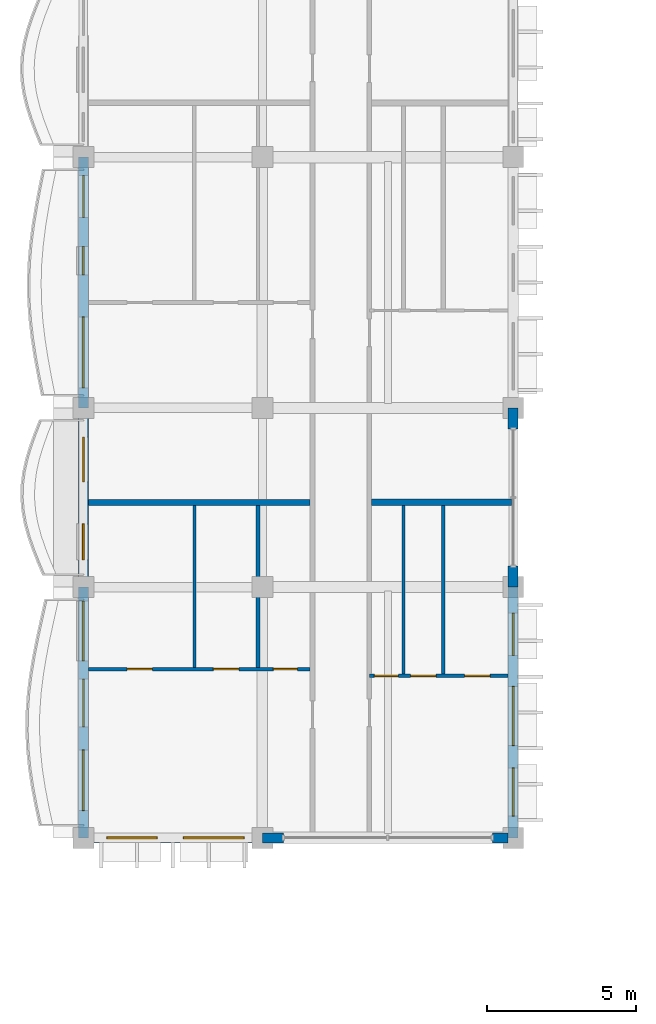
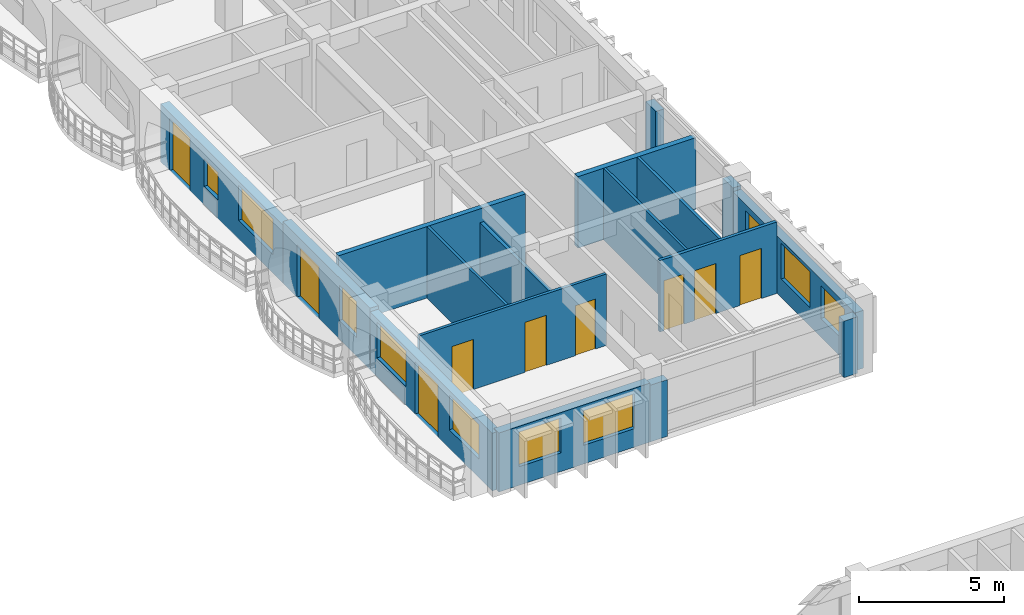
# One storey, part 29 of 76: 17 walls, 10 windows, 9 doors, 19 openings.
"""IFC4 building model written with IfcOpenShell, lengths in metres."""

from ifc_helpers import new_model, si_unit, direction, frame, frame_2d, origin, place, context, subcontext, project, spatial, rectangle, extrude, material, layer, layer_set, type_object, element, fill, save


model = new_model("IFC4")

# Units and contexts
model_context = context("Model", 3, precision=1e-05, world=origin(), true_north=direction((0.0, 1.0)))
body_context = subcontext(model_context, "Body", "Model", "MODEL_VIEW")
ifc_project = project(units=[si_unit("LENGTHUNIT", "METRE"), si_unit("AREAUNIT", "SQUARE_METRE"), si_unit("VOLUMEUNIT", "CUBIC_METRE"), si_unit("PLANEANGLEUNIT", "RADIAN"), si_unit("MASSUNIT", "GRAM", prefix="KILO"), si_unit("THERMODYNAMICTEMPERATUREUNIT", "KELVIN")], contexts=[model_context])

# Site, building, storey
site_placement = place(None, origin())
site = spatial("IfcSite", under=ifc_project, at=site_placement, CompositionType="ELEMENT")
building_placement = place(site_placement, origin())
building = spatial("IfcBuilding", under=site, at=building_placement, Name="Thalorik Housing Commons", CompositionType="ELEMENT")
storey_placement = place(building_placement, frame((0.0, 0.0, 18.0)))
storey = spatial("IfcBuildingStorey", under=building, at=storey_placement, Name="L05", CompositionType="ELEMENT", Elevation=18.0)

# Wall, openings, door, windows
ifc_material_1 = material(Name="White precast concrete C40/50", Category="concrete")
ifc_layer_1 = layer(ifc_material_1, 0.3349609375, Name="White precast concrete C40/50", Category="concrete")
ifc_layer_set_1 = layer_set([ifc_layer_1], Name="White precast concrete C40/50")
wall_type_1 = type_object("IfcWallType", Name="ARC-WAL-EXT-335", PredefinedType="STANDARD", material=ifc_layer_set_1)
wall_1_placement = place(storey_placement, frame((8.39990234375, 94.800048828125, 0.0), z_axis=(0.0, 0.0, 1.0), x_axis=(0.0, -1.0, 0.0)))
wall_1 = element("IfcWall", 1, at=wall_1_placement, inside=storey, type_object=wall_type_1, Name="L05 Exterior Wall WAL-EXT-L05-A-0159", PredefinedType="STANDARD", context=body_context, shape_type="SweptSolid", body=[
    extrude(rectangle(XDim=8.400146484375, YDim=0.3349609375, at=frame_2d((4.2001953125, 0.0))), origin(), (0.0, 0.0, 1.0), 2.425048828125),
])
opening_1_placement = place(wall_1_placement, frame((0.6201171875, 0.0, 0.0)))
opening_1 = element("IfcOpeningElement", 2, at=opening_1_placement, cuts=wall_1, Name="Opening ED-0047", PredefinedType="OPENING", context=body_context, shape_type="SweptSolid", body=[
    extrude(rectangle(XDim=1.39990234375, YDim=2.199951171875, at=frame_2d((0.699951171875, 1.10009765625))), frame((0.0, 0.177490234375, 0.0), z_axis=(0.0, -1.0, 0.0), x_axis=(1.0, 0.0, 0.0)), (0.0, 0.0, 1.0), 0.35498046875),
])
opening_2_placement = place(wall_1_placement, frame((2.9951171875, 0.0, 0.780029296875)))
opening_2 = element("IfcOpeningElement", 3, at=opening_2_placement, cuts=wall_1, Name="Opening W-43", PredefinedType="OPENING", context=body_context, shape_type="SweptSolid", body=[
    extrude(rectangle(XDim=0.949951171875, YDim=1.14990234375, at=frame_2d((0.47509765625, 0.574951171875))), frame((0.0, 0.177490234375, 0.0), z_axis=(0.0, -1.0, 0.0), x_axis=(1.0, 0.0, 0.0)), (0.0, 0.0, 1.0), 0.35498046875),
])
opening_3_placement = place(wall_1_placement, frame((5.35009765625, 0.0, 0.780029296875)))
opening_3 = element("IfcOpeningElement", 4, at=opening_3_placement, cuts=wall_1, Name="Opening W-69", PredefinedType="OPENING", context=body_context, shape_type="SweptSolid", body=[
    extrude(rectangle(XDim=2.3798828125, YDim=1.47998046875, at=frame_2d((1.18994140625, 0.739990234375))), frame((0.0, 0.177490234375, 0.0), z_axis=(0.0, -1.0, 0.0), x_axis=(1.0, 0.0, 0.0)), (0.0, 0.0, 1.0), 0.35498046875),
])
ifc_material_2 = material(Name="Anodised aluminium and laminated safety glass", Category="aluminium")
door_type_1 = type_object("IfcDoorType", Name="ARC-DR-BAL-1400", OperationType="NOTDEFINED", PredefinedType="DOOR", material=ifc_material_2)
door_1_placement = place(opening_1_placement, frame((1.39990234375, 0.0, 0.0), z_axis=(0.0, 0.0, 1.0), x_axis=(-1.0, 0.0, 0.0)))
door_1 = element("IfcDoor", 5, at=door_1_placement, inside=storey, type_object=door_type_1, Name="L05 Block A Balcony Glazed Door", OperationType="SLIDING_TO_LEFT", OverallHeight=2.199951171875, OverallWidth=1.39990234375, PredefinedType="DOOR", context=body_context, shape_type="SweptSolid", body=[
    extrude(rectangle(XDim=1.39990234375, YDim=2.199951171875, at=frame_2d((0.699951171875, 1.10009765625))), frame((0.0, 0.02490234375, 0.0), z_axis=(0.0, -1.0, 0.0), x_axis=(1.0, 0.0, 0.0)), (0.0, 0.0, 1.0), 0.050048828125),
])
fill(opening_1, door_1)
ifc_material_3 = material(Name="Anodised aluminium and solar-control low-E glass", Category="aluminium")
window_type_1 = type_object("IfcWindowType", Name="ARC-WIN-43", PartitioningType="SINGLE_PANEL", PredefinedType="WINDOW", material=ifc_material_3)
window_1_placement = place(opening_2_placement, origin())
window_1 = element("IfcWindow", 6, at=window_1_placement, inside=storey, type_object=window_type_1, Name="L05 Facade Window 283", OverallHeight=1.14990234375, OverallWidth=0.949951171875, PartitioningType="SINGLE_PANEL", PredefinedType="WINDOW", context=body_context, shape_type="SweptSolid", body=[
    extrude(rectangle(XDim=0.949951171875, YDim=1.14990234375, at=frame_2d((0.47509765625, 0.574951171875))), frame((0.0, 0.030029296875, 0.0), z_axis=(0.0, -1.0, 0.0), x_axis=(1.0, 0.0, 0.0)), (0.0, 0.0, 1.0), 0.06005859375),
])
fill(opening_2, window_1)
window_type_2 = type_object("IfcWindowType", Name="ARC-WIN-69", PartitioningType="DOUBLE_PANEL_VERTICAL", PredefinedType="WINDOW", material=ifc_material_3)
window_2_placement = place(opening_3_placement, origin())
window_2 = element("IfcWindow", 7, at=window_2_placement, inside=storey, type_object=window_type_2, Name="L05 Facade Window 284", OverallHeight=1.47998046875, OverallWidth=2.3798828125, PartitioningType="DOUBLE_PANEL_VERTICAL", PredefinedType="WINDOW", context=body_context, shape_type="SweptSolid", body=[
    extrude(rectangle(XDim=2.3798828125, YDim=1.47998046875, at=frame_2d((1.18994140625, 0.739990234375))), frame((0.0, 0.030029296875, 0.0), z_axis=(0.0, -1.0, 0.0), x_axis=(1.0, 0.0, 0.0)), (0.0, 0.0, 1.0), 0.06005859375),
])
fill(opening_3, window_2)

# Wall, openings, door, window
wall_2_placement = place(storey_placement, frame((8.39990234375, 86.39990234375, 0.0), z_axis=(0.0, 0.0, 1.0), x_axis=(0.0, -1.0, 0.0)))
wall_2 = element("IfcWall", 8, at=wall_2_placement, inside=storey, type_object=wall_type_1, Name="L05 Exterior Wall WAL-EXT-L05-A-0160", PredefinedType="STANDARD", context=body_context, shape_type="SweptSolid", body=[
    extrude(rectangle(XDim=6.0, YDim=0.3349609375, at=frame_2d((3.0, 0.0))), origin(), (0.0, 0.0, 1.0), 2.574951171875),
])
opening_4_placement = place(wall_2_placement, frame((0.97509765625, 0.0, 0.0)))
opening_4 = element("IfcOpeningElement", 9, at=opening_4_placement, cuts=wall_2, Name="Opening ED-0048", PredefinedType="OPENING", context=body_context, shape_type="SweptSolid", body=[
    extrude(rectangle(XDim=1.5, YDim=2.199951171875, at=frame_2d((0.75, 1.10009765625))), frame((0.0, 0.177490234375, 0.0), z_axis=(0.0, -1.0, 0.0), x_axis=(1.0, 0.0, 0.0)), (0.0, 0.0, 1.0), 0.35498046875),
])
opening_5_placement = place(wall_2_placement, frame((3.885009765625, 0.0, 0.780029296875)))
opening_5 = element("IfcOpeningElement", 10, at=opening_5_placement, cuts=wall_2, Name="Opening W-05", PredefinedType="OPENING", context=body_context, shape_type="SweptSolid", body=[
    extrude(rectangle(XDim=1.199951171875, YDim=1.5, at=frame_2d((0.60009765625, 0.75))), frame((0.0, 0.177490234375, 0.0), z_axis=(0.0, -1.0, 0.0), x_axis=(1.0, 0.0, 0.0)), (0.0, 0.0, 1.0), 0.35498046875),
])
door_type_2 = type_object("IfcDoorType", Name="ARC-DR-BAL-1500", OperationType="NOTDEFINED", PredefinedType="DOOR", material=ifc_material_2)
door_2_placement = place(opening_4_placement, frame((1.5, 0.0, 0.0), z_axis=(0.0, 0.0, 1.0), x_axis=(-1.0, 0.0, 0.0)))
door_2 = element("IfcDoor", 11, at=door_2_placement, inside=storey, type_object=door_type_2, Name="L05 Block A Balcony Glazed Door", OperationType="SLIDING_TO_RIGHT", OverallHeight=2.199951171875, OverallWidth=1.5, PredefinedType="DOOR", context=body_context, shape_type="SweptSolid", body=[
    extrude(rectangle(XDim=1.5, YDim=2.199951171875, at=frame_2d((0.75, 1.10009765625))), frame((0.0, 0.02490234375, 0.0), z_axis=(0.0, -1.0, 0.0), x_axis=(1.0, 0.0, 0.0)), (0.0, 0.0, 1.0), 0.050048828125),
])
fill(opening_4, door_2)
window_type_3 = type_object("IfcWindowType", Name="ARC-WIN-05", PartitioningType="SINGLE_PANEL", PredefinedType="WINDOW", material=ifc_material_3)
window_3_placement = place(opening_5_placement, origin())
window_3 = element("IfcWindow", 12, at=window_3_placement, inside=storey, type_object=window_type_3, Name="L05 Facade Window 285", OverallHeight=1.5, OverallWidth=1.199951171875, PartitioningType="SINGLE_PANEL", PredefinedType="WINDOW", context=body_context, shape_type="SweptSolid", body=[
    extrude(rectangle(XDim=1.199951171875, YDim=1.5, at=frame_2d((0.60009765625, 0.75))), frame((0.0, 0.030029296875, 0.0), z_axis=(0.0, -1.0, 0.0), x_axis=(1.0, 0.0, 0.0)), (0.0, 0.0, 1.0), 0.06005859375),
])
fill(opening_5, window_3)

# Wall, openings, door, windows
wall_3_placement = place(storey_placement, frame((8.39990234375, 80.39990234375, 0.0), z_axis=(0.0, 0.0, 1.0), x_axis=(0.0, -1.0, 0.0)))
wall_3 = element("IfcWall", 13, at=wall_3_placement, inside=storey, type_object=wall_type_1, Name="L05 Exterior Wall WAL-EXT-L05-A-0161", PredefinedType="STANDARD", context=body_context, shape_type="SweptSolid", body=[
    extrude(rectangle(XDim=8.39990234375, YDim=0.3349609375, at=frame_2d((4.199951171875, 0.0))), origin(), (0.0, 0.0, 1.0), 2.425048828125),
])
opening_6_placement = place(wall_3_placement, frame((3.080078125, 0.0, 0.0)))
opening_6 = element("IfcOpeningElement", 14, at=opening_6_placement, cuts=wall_3, Name="Opening ED-0049", PredefinedType="OPENING", context=body_context, shape_type="SweptSolid", body=[
    extrude(rectangle(XDim=1.60009765625, YDim=2.199951171875, at=frame_2d((0.800048828125, 1.10009765625))), frame((0.0, 0.177490234375, 0.0), z_axis=(0.0, -1.0, 0.0), x_axis=(1.0, 0.0, 0.0)), (0.0, 0.0, 1.0), 0.35498046875),
])
opening_7_placement = place(wall_3_placement, frame((0.469970703125, 0.0, 0.780029296875)))
opening_7 = element("IfcOpeningElement", 15, at=opening_7_placement, cuts=wall_3, Name="Opening W-23", PredefinedType="OPENING", context=body_context, shape_type="SweptSolid", body=[
    extrude(rectangle(XDim=2.0, YDim=1.5, at=frame_2d((1.0, 0.75))), frame((0.0, 0.177490234375, 0.0), z_axis=(0.0, -1.0, 0.0), x_axis=(1.0, 0.0, 0.0)), (0.0, 0.0, 1.0), 0.35498046875),
])
opening_8_placement = place(wall_3_placement, frame((5.449951171875, 0.0, 0.780029296875)))
opening_8 = element("IfcOpeningElement", 16, at=opening_8_placement, cuts=wall_3, Name="Opening W-62", PredefinedType="OPENING", context=body_context, shape_type="SweptSolid", body=[
    extrude(rectangle(XDim=2.0400390625, YDim=1.4599609375, at=frame_2d((1.02001953125, 0.72998046875))), frame((0.0, 0.177490234375, 0.0), z_axis=(0.0, -1.0, 0.0), x_axis=(1.0, 0.0, 0.0)), (0.0, 0.0, 1.0), 0.35498046875),
])
door_type_3 = type_object("IfcDoorType", Name="ARC-DR-BAL-1600", OperationType="NOTDEFINED", PredefinedType="DOOR", material=ifc_material_2)
door_3_placement = place(opening_6_placement, frame((1.60009765625, 0.0, 0.0), z_axis=(0.0, 0.0, 1.0), x_axis=(-1.0, 0.0, 0.0)))
door_3 = element("IfcDoor", 17, at=door_3_placement, inside=storey, type_object=door_type_3, Name="L05 Block A Balcony Glazed Door", OperationType="SLIDING_TO_LEFT", OverallHeight=2.199951171875, OverallWidth=1.60009765625, PredefinedType="DOOR", context=body_context, shape_type="SweptSolid", body=[
    extrude(rectangle(XDim=1.60009765625, YDim=2.199951171875, at=frame_2d((0.800048828125, 1.10009765625))), frame((0.0, 0.02490234375, 0.0), z_axis=(0.0, -1.0, 0.0), x_axis=(1.0, 0.0, 0.0)), (0.0, 0.0, 1.0), 0.050048828125),
])
fill(opening_6, door_3)
window_type_4 = type_object("IfcWindowType", Name="ARC-WIN-23", PartitioningType="DOUBLE_PANEL_VERTICAL", PredefinedType="WINDOW", material=ifc_material_3)
window_4_placement = place(opening_7_placement, origin())
window_4 = element("IfcWindow", 18, at=window_4_placement, inside=storey, type_object=window_type_4, Name="L05 Facade Window 286", OverallHeight=1.5, OverallWidth=2.0, PartitioningType="DOUBLE_PANEL_VERTICAL", PredefinedType="WINDOW", context=body_context, shape_type="SweptSolid", body=[
    extrude(rectangle(XDim=2.0, YDim=1.5, at=frame_2d((1.0, 0.75))), frame((0.0, 0.030029296875, 0.0), z_axis=(0.0, -1.0, 0.0), x_axis=(1.0, 0.0, 0.0)), (0.0, 0.0, 1.0), 0.06005859375),
])
fill(opening_7, window_4)
window_type_5 = type_object("IfcWindowType", Name="ARC-WIN-62", PartitioningType="DOUBLE_PANEL_VERTICAL", PredefinedType="WINDOW", material=ifc_material_3)
window_5_placement = place(opening_8_placement, origin())
window_5 = element("IfcWindow", 19, at=window_5_placement, inside=storey, type_object=window_type_5, Name="L05 Facade Window 287", OverallHeight=1.4599609375, OverallWidth=2.0400390625, PartitioningType="DOUBLE_PANEL_VERTICAL", PredefinedType="WINDOW", context=body_context, shape_type="SweptSolid", body=[
    extrude(rectangle(XDim=2.0400390625, YDim=1.4599609375, at=frame_2d((1.02001953125, 0.72998046875))), frame((0.0, 0.030029296875, 0.0), z_axis=(0.0, -1.0, 0.0), x_axis=(1.0, 0.0, 0.0)), (0.0, 0.0, 1.0), 0.06005859375),
])
fill(opening_8, window_5)

# Wall, openings, windows
wall_4_placement = place(storey_placement, frame((8.39990234375, 72.0, 0.0), z_axis=(0.0, 0.0, 1.0), x_axis=(1.0, 0.0, 0.0)))
wall_4 = element("IfcWall", 20, at=wall_4_placement, inside=storey, type_object=wall_type_1, Name="L05 Exterior Wall WAL-EXT-L05-A-0162", PredefinedType="STANDARD", context=body_context, shape_type="SweptSolid", body=[
    extrude(rectangle(XDim=6.0, YDim=0.3349609375, at=frame_2d((3.0, 0.0))), origin(), (0.0, 0.0, 1.0), 2.47509765625),
])
opening_9_placement = place(wall_4_placement, frame((0.7900390625, 0.0, 0.780029296875)))
opening_9 = element("IfcOpeningElement", 21, at=opening_9_placement, cuts=wall_4, Name="Opening W-55", PredefinedType="OPENING", context=body_context, shape_type="SweptSolid", body=[
    extrude(rectangle(XDim=1.679931640625, YDim=1.4599609375, at=frame_2d((0.83984375, 0.72998046875))), frame((0.0, 0.177490234375, 0.0), z_axis=(0.0, -1.0, 0.0), x_axis=(1.0, 0.0, 0.0)), (0.0, 0.0, 1.0), 0.35498046875),
])
opening_10_placement = place(wall_4_placement, frame((3.35009765625, 0.0, 0.780029296875)))
opening_10 = element("IfcOpeningElement", 22, at=opening_10_placement, cuts=wall_4, Name="Opening W-62", PredefinedType="OPENING", context=body_context, shape_type="SweptSolid", body=[
    extrude(rectangle(XDim=2.0400390625, YDim=1.4599609375, at=frame_2d((1.02001953125, 0.72998046875))), frame((0.0, 0.177490234375, 0.0), z_axis=(0.0, -1.0, 0.0), x_axis=(1.0, 0.0, 0.0)), (0.0, 0.0, 1.0), 0.35498046875),
])
window_type_6 = type_object("IfcWindowType", Name="ARC-WIN-55", PartitioningType="DOUBLE_PANEL_VERTICAL", PredefinedType="WINDOW", material=ifc_material_3)
window_6_placement = place(opening_9_placement, origin())
window_6 = element("IfcWindow", 23, at=window_6_placement, inside=storey, type_object=window_type_6, Name="L05 Facade Window 288", OverallHeight=1.4599609375, OverallWidth=1.679931640625, PartitioningType="DOUBLE_PANEL_VERTICAL", PredefinedType="WINDOW", context=body_context, shape_type="SweptSolid", body=[
    extrude(rectangle(XDim=1.679931640625, YDim=1.4599609375, at=frame_2d((0.83984375, 0.72998046875))), frame((0.0, 0.030029296875, 0.0), z_axis=(0.0, -1.0, 0.0), x_axis=(1.0, 0.0, 0.0)), (0.0, 0.0, 1.0), 0.06005859375),
])
fill(opening_9, window_6)
window_7_placement = place(opening_10_placement, origin())
window_7 = element("IfcWindow", 24, at=window_7_placement, inside=storey, type_object=window_type_5, Name="L05 Facade Window 289", OverallHeight=1.4599609375, OverallWidth=2.0400390625, PartitioningType="DOUBLE_PANEL_VERTICAL", PredefinedType="WINDOW", context=body_context, shape_type="SweptSolid", body=[
    extrude(rectangle(XDim=2.0400390625, YDim=1.4599609375, at=frame_2d((1.02001953125, 0.72998046875))), frame((0.0, 0.030029296875, 0.0), z_axis=(0.0, -1.0, 0.0), x_axis=(1.0, 0.0, 0.0)), (0.0, 0.0, 1.0), 0.06005859375),
])
fill(opening_10, window_7)

# Walls
wall_5_placement = place(storey_placement, frame((14.39990234375, 72.0, 0.0), z_axis=(0.0, 0.0, 1.0), x_axis=(1.0, 0.0, 0.0)))
element("IfcWall", 25, at=wall_5_placement, inside=storey, type_object=wall_type_1, Name="L05 Exterior Wall WAL-PIERL-L05-A-0163", PredefinedType="STANDARD", context=body_context, shape_type="SweptSolid", body=[
    extrude(rectangle(XDim=0.7001953125, YDim=0.3349609375, at=frame_2d((0.35009765625, 0.0))), origin(), (0.0, 0.0, 1.0), 2.375),
])
wall_6_placement = place(storey_placement, frame((22.10009765625, 72.0, 0.0), z_axis=(0.0, 0.0, 1.0), x_axis=(1.0, 0.0, 0.0)))
element("IfcWall", 26, at=wall_6_placement, inside=storey, type_object=wall_type_1, Name="L05 Exterior Wall WAL-PIERR-L05-A-0163", PredefinedType="STANDARD", context=body_context, shape_type="SweptSolid", body=[
    extrude(rectangle(XDim=0.530517578125, YDim=0.3349609375, at=frame_2d((0.26513671875, 0.0))), origin(), (0.0, 0.0, 1.0), 2.375),
])

# Wall, openings, windows
wall_7_placement = place(storey_placement, frame((22.800048828125, 72.0, 0.0), z_axis=(0.0, 0.0, 1.0), x_axis=(0.0, 1.0, 0.0)))
wall_7 = element("IfcWall", 27, at=wall_7_placement, inside=storey, type_object=wall_type_1, Name="L05 Exterior Wall WAL-EXT-L05-A-0164", PredefinedType="STANDARD", context=body_context, shape_type="SweptSolid", body=[
    extrude(rectangle(XDim=8.39990234375, YDim=0.3349609375, at=frame_2d((4.199951171875, 0.0))), origin(), (0.0, 0.0, 1.0), 2.425048828125),
])
opening_11_placement = place(wall_7_placement, frame((0.72412109375, 0.0, 0.780029296875)))
opening_11 = element("IfcOpeningElement", 28, at=opening_11_placement, cuts=wall_7, Name="Opening W-54", PredefinedType="OPENING", context=body_context, shape_type="SweptSolid", body=[
    extrude(rectangle(XDim=1.6201171875, YDim=1.3798828125, at=frame_2d((0.81005859375, 0.68994140625))), frame((0.0, 0.177490234375, 0.0), z_axis=(0.0, -1.0, 0.0), x_axis=(1.0, 0.0, 0.0)), (0.0, 0.0, 1.0), 0.35498046875),
])
opening_12_placement = place(wall_7_placement, frame((3.09228515625, 0.0, 0.780029296875)))
opening_12 = element("IfcOpeningElement", 29, at=opening_12_placement, cuts=wall_7, Name="Opening W-61", PredefinedType="OPENING", context=body_context, shape_type="SweptSolid", body=[
    extrude(rectangle(XDim=1.97998046875, YDim=1.5, at=frame_2d((0.989990234375, 0.75))), frame((0.0, 0.177490234375, 0.0), z_axis=(0.0, -1.0, 0.0), x_axis=(1.0, 0.0, 0.0)), (0.0, 0.0, 1.0), 0.35498046875),
])
opening_13_placement = place(wall_7_placement, frame((6.108154296875, 0.0, 0.780029296875)))
opening_13 = element("IfcOpeningElement", 30, at=opening_13_placement, cuts=wall_7, Name="Opening W-50", PredefinedType="OPENING", context=body_context, shape_type="SweptSolid", body=[
    extrude(rectangle(XDim=1.419921875, YDim=1.3798828125, at=frame_2d((0.7099609375, 0.68994140625))), frame((0.0, 0.177490234375, 0.0), z_axis=(0.0, -1.0, 0.0), x_axis=(1.0, 0.0, 0.0)), (0.0, 0.0, 1.0), 0.35498046875),
])
window_type_7 = type_object("IfcWindowType", Name="ARC-WIN-50", PartitioningType="SINGLE_PANEL", PredefinedType="WINDOW", material=ifc_material_3)
window_8_placement = place(opening_13_placement, origin())
window_8 = element("IfcWindow", 31, at=window_8_placement, inside=storey, type_object=window_type_7, Name="L05 Facade Window 292", OverallHeight=1.3798828125, OverallWidth=1.419921875, PartitioningType="SINGLE_PANEL", PredefinedType="WINDOW", context=body_context, shape_type="SweptSolid", body=[
    extrude(rectangle(XDim=1.419921875, YDim=1.3798828125, at=frame_2d((0.7099609375, 0.68994140625))), frame((0.0, 0.030029296875, 0.0), z_axis=(0.0, -1.0, 0.0), x_axis=(1.0, 0.0, 0.0)), (0.0, 0.0, 1.0), 0.06005859375),
])
fill(opening_13, window_8)
window_type_8 = type_object("IfcWindowType", Name="ARC-WIN-54", PartitioningType="DOUBLE_PANEL_VERTICAL", PredefinedType="WINDOW", material=ifc_material_3)
window_9_placement = place(opening_11_placement, origin())
window_9 = element("IfcWindow", 32, at=window_9_placement, inside=storey, type_object=window_type_8, Name="L05 Facade Window 290", OverallHeight=1.3798828125, OverallWidth=1.6201171875, PartitioningType="DOUBLE_PANEL_VERTICAL", PredefinedType="WINDOW", context=body_context, shape_type="SweptSolid", body=[
    extrude(rectangle(XDim=1.6201171875, YDim=1.3798828125, at=frame_2d((0.81005859375, 0.68994140625))), frame((0.0, 0.030029296875, 0.0), z_axis=(0.0, -1.0, 0.0), x_axis=(1.0, 0.0, 0.0)), (0.0, 0.0, 1.0), 0.06005859375),
])
fill(opening_11, window_9)
window_type_9 = type_object("IfcWindowType", Name="ARC-WIN-61", PartitioningType="DOUBLE_PANEL_VERTICAL", PredefinedType="WINDOW", material=ifc_material_3)
window_10_placement = place(opening_12_placement, origin())
window_10 = element("IfcWindow", 33, at=window_10_placement, inside=storey, type_object=window_type_9, Name="L05 Facade Window 291", OverallHeight=1.5, OverallWidth=1.97998046875, PartitioningType="DOUBLE_PANEL_VERTICAL", PredefinedType="WINDOW", context=body_context, shape_type="SweptSolid", body=[
    extrude(rectangle(XDim=1.97998046875, YDim=1.5, at=frame_2d((0.989990234375, 0.75))), frame((0.0, 0.030029296875, 0.0), z_axis=(0.0, -1.0, 0.0), x_axis=(1.0, 0.0, 0.0)), (0.0, 0.0, 1.0), 0.06005859375),
])
fill(opening_12, window_10)

# Walls
wall_8_placement = place(storey_placement, frame((22.800048828125, 80.39990234375, 0.0), z_axis=(0.0, 0.0, 1.0), x_axis=(0.0, 1.0, 0.0)))
element("IfcWall", 34, at=wall_8_placement, inside=storey, type_object=wall_type_1, Name="L05 Exterior Wall WAL-PIERL-L05-A-0165", PredefinedType="STANDARD", context=body_context, shape_type="SweptSolid", body=[
    extrude(rectangle(XDim=0.7001953125, YDim=0.3349609375, at=frame_2d((0.35009765625, 0.0))), origin(), (0.0, 0.0, 1.0), 2.574951171875),
])
wall_9_placement = place(storey_placement, frame((22.800048828125, 85.699951171875, 0.0), z_axis=(0.0, 0.0, 1.0), x_axis=(0.0, 1.0, 0.0)))
element("IfcWall", 35, at=wall_9_placement, inside=storey, type_object=wall_type_1, Name="L05 Exterior Wall WAL-PIERR-L05-A-0165", PredefinedType="STANDARD", context=body_context, shape_type="SweptSolid", body=[
    extrude(rectangle(XDim=0.699951171875, YDim=0.3349609375, at=frame_2d((0.35009765625, 0.0))), origin(), (0.0, 0.0, 1.0), 2.574951171875),
])
ifc_material_4 = material(Name="Gypsum light stud partition", Category="masonry")
ifc_layer_2 = layer(ifc_material_4, 0.10009765625, Name="Gypsum light stud partition", Category="masonry")
ifc_layer_set_2 = layer_set([ifc_layer_2], Name="Gypsum light stud partition")
wall_type_2 = type_object("IfcWallType", Name="ARC-WAL-PART-100", PredefinedType="PARTITIONING", material=ifc_layer_set_2)
wall_10_placement = place(storey_placement, frame((12.11767578125, 77.70947265625, 0.0), z_axis=(0.0, 0.0, 1.0), x_axis=(0.0, 1.0, 0.0)))
element("IfcWall", 36, at=wall_10_placement, inside=storey, type_object=wall_type_2, Name="L05 Unit 1 Bedroom Partition", PredefinedType="PARTITIONING", context=body_context, shape_type="SweptSolid", body=[
    extrude(rectangle(XDim=5.428466796875, YDim=0.10009765625, at=frame_2d((2.71435546875, 0.0))), origin(), (0.0, 0.0, 1.0), 3.0),
])
wall_11_placement = place(storey_placement, frame((19.122314453125, 77.490966796875, 0.0), z_axis=(0.0, 0.0, 1.0), x_axis=(0.0, 1.0, 0.0)))
element("IfcWall", 37, at=wall_11_placement, inside=storey, type_object=wall_type_2, Name="L05 Unit 1B Wet Wall", PredefinedType="PARTITIONING", context=body_context, shape_type="SweptSolid", body=[
    extrude(rectangle(XDim=5.636962890625, YDim=0.10009765625, at=frame_2d((2.818359375, 0.0))), origin(), (0.0, 0.0, 1.0), 3.0),
])

# Wall, openings, doors
ifc_material_5 = material(Name="Gypsum moisture-resistant partition", Category="masonry")
ifc_layer_3 = layer(ifc_material_5, 0.114990234375, Name="Gypsum moisture-resistant partition", Category="masonry")
ifc_layer_set_3 = layer_set([ifc_layer_3], Name="Gypsum moisture-resistant partition")
wall_type_3 = type_object("IfcWallType", Name="ARC-WAL-PART-115", PredefinedType="PARTITIONING", material=ifc_layer_set_3)
wall_12_placement = place(storey_placement, frame((8.569580078125, 77.64990234375, 0.0), z_axis=(0.0, 0.0, 1.0), x_axis=(1.0, 0.0, 0.0)))
wall_12 = element("IfcWall", 38, at=wall_12_placement, inside=storey, type_object=wall_type_3, Name="L05 Unit 1 Spine Partition", PredefinedType="PARTITIONING", context=body_context, shape_type="SweptSolid", body=[
    extrude(rectangle(XDim=7.426025390625, YDim=0.114990234375, at=frame_2d((3.712890625, 0.0))), origin(), (0.0, 0.0, 1.0), 3.0),
])
opening_14_placement = place(wall_12_placement, frame((1.294189453125, 0.0, 0.0)))
opening_14 = element("IfcOpeningElement", 39, at=opening_14_placement, cuts=wall_12, Name="Opening ID-0621", PredefinedType="OPENING", context=body_context, shape_type="SweptSolid", body=[
    extrude(rectangle(XDim=0.85009765625, YDim=2.10009765625, at=frame_2d((0.425048828125, 1.050048828125))), frame((0.0, 0.0673828125, 0.0), z_axis=(0.0, -1.0, 0.0), x_axis=(1.0, 0.0, 0.0)), (0.0, 0.0, 1.0), 0.135009765625),
])
opening_15_placement = place(wall_12_placement, frame((4.18994140625, 0.0, 0.0)))
opening_15 = element("IfcOpeningElement", 40, at=opening_15_placement, cuts=wall_12, Name="Opening ID-0622", PredefinedType="OPENING", context=body_context, shape_type="SweptSolid", body=[
    extrude(rectangle(XDim=0.85009765625, YDim=2.10009765625, at=frame_2d((0.425048828125, 1.050048828125))), frame((0.0, 0.0673828125, 0.0), z_axis=(0.0, -1.0, 0.0), x_axis=(1.0, 0.0, 0.0)), (0.0, 0.0, 1.0), 0.135009765625),
])
opening_16_placement = place(wall_12_placement, frame((6.196044921875, 0.0, 0.0)))
opening_16 = element("IfcOpeningElement", 41, at=opening_16_placement, cuts=wall_12, Name="Opening ID-0623", PredefinedType="OPENING", context=body_context, shape_type="SweptSolid", body=[
    extrude(rectangle(XDim=0.800048828125, YDim=2.10009765625, at=frame_2d((0.39990234375, 1.050048828125))), frame((0.0, 0.0673828125, 0.0), z_axis=(0.0, -1.0, 0.0), x_axis=(1.0, 0.0, 0.0)), (0.0, 0.0, 1.0), 0.135009765625),
])
ifc_material_6 = material(Name="Moisture-resistant timber", Category="wood")
door_type_4 = type_object("IfcDoorType", Name="ARC-DR-INT-800", OperationType="NOTDEFINED", PredefinedType="DOOR", material=ifc_material_6)
door_4_placement = place(opening_16_placement, origin())
door_4 = element("IfcDoor", 42, at=door_4_placement, inside=storey, type_object=door_type_4, Name="L05 Flat Bathroom Door", OperationType="SINGLE_SWING_RIGHT", OverallHeight=2.10009765625, OverallWidth=0.800048828125, PredefinedType="DOOR", context=body_context, shape_type="SweptSolid", body=[
    extrude(rectangle(XDim=0.800048828125, YDim=2.10009765625, at=frame_2d((0.39990234375, 1.050048828125))), frame((0.0, 0.02490234375, 0.0), z_axis=(0.0, -1.0, 0.0), x_axis=(1.0, 0.0, 0.0)), (0.0, 0.0, 1.0), 0.050048828125),
])
fill(opening_16, door_4)
ifc_material_7 = material(Name="Engineered oak timber", Category="wood")
door_type_5 = type_object("IfcDoorType", Name="ARC-DR-INT-850", OperationType="NOTDEFINED", PredefinedType="DOOR", material=ifc_material_7)
door_5_placement = place(opening_14_placement, origin())
door_5 = element("IfcDoor", 43, at=door_5_placement, inside=storey, type_object=door_type_5, Name="L05 Master Bedroom Door", OperationType="SINGLE_SWING_RIGHT", OverallHeight=2.10009765625, OverallWidth=0.85009765625, PredefinedType="DOOR", context=body_context, shape_type="SweptSolid", body=[
    extrude(rectangle(XDim=0.85009765625, YDim=2.10009765625, at=frame_2d((0.425048828125, 1.050048828125))), frame((0.0, 0.02490234375, 0.0), z_axis=(0.0, -1.0, 0.0), x_axis=(1.0, 0.0, 0.0)), (0.0, 0.0, 1.0), 0.050048828125),
])
fill(opening_14, door_5)
door_6_placement = place(opening_15_placement, origin())
door_6 = element("IfcDoor", 44, at=door_6_placement, inside=storey, type_object=door_type_5, Name="L05 Galley Kitchen Door", OperationType="SINGLE_SWING_LEFT", OverallHeight=2.10009765625, OverallWidth=0.85009765625, PredefinedType="DOOR", context=body_context, shape_type="SweptSolid", body=[
    extrude(rectangle(XDim=0.85009765625, YDim=2.10009765625, at=frame_2d((0.425048828125, 1.050048828125))), frame((0.0, 0.02490234375, 0.0), z_axis=(0.0, -1.0, 0.0), x_axis=(1.0, 0.0, 0.0)), (0.0, 0.0, 1.0), 0.050048828125),
])
fill(opening_15, door_6)

# Wall
wall_13_placement = place(storey_placement, frame((20.455078125, 77.490966796875, 0.0), z_axis=(0.0, 0.0, 1.0), x_axis=(0.0, 1.0, 0.0)))
element("IfcWall", 45, at=wall_13_placement, inside=storey, type_object=wall_type_3, Name="L05 Unit 1B Bedroom Partition", PredefinedType="PARTITIONING", context=body_context, shape_type="SweptSolid", body=[
    extrude(rectangle(XDim=5.636962890625, YDim=0.114990234375, at=frame_2d((2.818359375, 0.0))), origin(), (0.0, 0.0, 1.0), 3.0),
])

# Wall, openings, doors
ifc_material_8 = material(Name="Gypsum acoustic stud partition", Category="masonry")
ifc_layer_4 = layer(ifc_material_8, 0.125, Name="Gypsum acoustic stud partition", Category="masonry")
ifc_layer_set_4 = layer_set([ifc_layer_4], Name="Gypsum acoustic stud partition")
wall_type_4 = type_object("IfcWallType", Name="ARC-WAL-PART-125", PredefinedType="PARTITIONING", material=ifc_layer_set_4)
wall_14_placement = place(storey_placement, frame((17.97998046875, 77.426513671875, 0.0), z_axis=(0.0, 0.0, 1.0), x_axis=(1.0, 0.0, 0.0)))
wall_14 = element("IfcWall", 46, at=wall_14_placement, inside=storey, type_object=wall_type_4, Name="L05 Unit 1B Spine Partition", PredefinedType="PARTITIONING", context=body_context, shape_type="SweptSolid", body=[
    extrude(rectangle(XDim=4.650634765625, YDim=0.125, at=frame_2d((2.3251953125, 0.0))), origin(), (0.0, 0.0, 1.0), 3.0),
])
opening_17_placement = place(wall_14_placement, frame((0.171142578125, 0.0, 0.0)))
opening_17 = element("IfcOpeningElement", 47, at=opening_17_placement, cuts=wall_14, Name="Opening ID-0624", PredefinedType="OPENING", context=body_context, shape_type="SweptSolid", body=[
    extrude(rectangle(XDim=0.800048828125, YDim=2.10009765625, at=frame_2d((0.39990234375, 1.050048828125))), frame((0.0, 0.072509765625, 0.0), z_axis=(0.0, -1.0, 0.0), x_axis=(1.0, 0.0, 0.0)), (0.0, 0.0, 1.0), 0.14501953125),
])
opening_18_placement = place(wall_14_placement, frame((1.3837890625, 0.0, 0.0)))
opening_18 = element("IfcOpeningElement", 48, at=opening_18_placement, cuts=wall_14, Name="Opening ID-0625", PredefinedType="OPENING", context=body_context, shape_type="SweptSolid", body=[
    extrude(rectangle(XDim=0.85009765625, YDim=2.10009765625, at=frame_2d((0.425048828125, 1.050048828125))), frame((0.0, 0.072509765625, 0.0), z_axis=(0.0, -1.0, 0.0), x_axis=(1.0, 0.0, 0.0)), (0.0, 0.0, 1.0), 0.14501953125),
])
opening_19_placement = place(wall_14_placement, frame((3.192626953125, 0.0, 0.0)))
opening_19 = element("IfcOpeningElement", 49, at=opening_19_placement, cuts=wall_14, Name="Opening ID-0626", PredefinedType="OPENING", context=body_context, shape_type="SweptSolid", body=[
    extrude(rectangle(XDim=0.85009765625, YDim=2.10009765625, at=frame_2d((0.425048828125, 1.050048828125))), frame((0.0, 0.072509765625, 0.0), z_axis=(0.0, -1.0, 0.0), x_axis=(1.0, 0.0, 0.0)), (0.0, 0.0, 1.0), 0.14501953125),
])
door_7_placement = place(opening_17_placement, origin())
door_7 = element("IfcDoor", 50, at=door_7_placement, inside=storey, type_object=door_type_4, Name="L05 Accessible Bathroom Door", OperationType="SINGLE_SWING_LEFT", OverallHeight=2.10009765625, OverallWidth=0.800048828125, PredefinedType="DOOR", context=body_context, shape_type="SweptSolid", body=[
    extrude(rectangle(XDim=0.800048828125, YDim=2.10009765625, at=frame_2d((0.39990234375, 1.050048828125))), frame((0.0, 0.02490234375, 0.0), z_axis=(0.0, -1.0, 0.0), x_axis=(1.0, 0.0, 0.0)), (0.0, 0.0, 1.0), 0.050048828125),
])
fill(opening_17, door_7)
door_8_placement = place(opening_18_placement, origin())
door_8 = element("IfcDoor", 51, at=door_8_placement, inside=storey, type_object=door_type_5, Name="L05 Eat-In Kitchen Door", OperationType="SINGLE_SWING_RIGHT", OverallHeight=2.10009765625, OverallWidth=0.85009765625, PredefinedType="DOOR", context=body_context, shape_type="SweptSolid", body=[
    extrude(rectangle(XDim=0.85009765625, YDim=2.10009765625, at=frame_2d((0.425048828125, 1.050048828125))), frame((0.0, 0.02490234375, 0.0), z_axis=(0.0, -1.0, 0.0), x_axis=(1.0, 0.0, 0.0)), (0.0, 0.0, 1.0), 0.050048828125),
])
fill(opening_18, door_8)
door_9_placement = place(opening_19_placement, origin())
door_9 = element("IfcDoor", 52, at=door_9_placement, inside=storey, type_object=door_type_5, Name="L05 Double Bedroom Door", OperationType="SINGLE_SWING_LEFT", OverallHeight=2.10009765625, OverallWidth=0.85009765625, PredefinedType="DOOR", context=body_context, shape_type="SweptSolid", body=[
    extrude(rectangle(XDim=0.85009765625, YDim=2.10009765625, at=frame_2d((0.425048828125, 1.050048828125))), frame((0.0, 0.02490234375, 0.0), z_axis=(0.0, -1.0, 0.0), x_axis=(1.0, 0.0, 0.0)), (0.0, 0.0, 1.0), 0.050048828125),
])
fill(opening_19, door_9)

# Walls
ifc_material_9 = material(Name="Ceramic masonry partition wall", Category="masonry")
ifc_layer_5 = layer(ifc_material_9, 0.139892578125, Name="Ceramic masonry partition wall", Category="masonry")
ifc_layer_set_5 = layer_set([ifc_layer_5], Name="Ceramic masonry partition wall")
wall_type_5 = type_object("IfcWallType", Name="ARC-WAL-PART-140", PredefinedType="PARTITIONING", material=ifc_layer_set_5)
wall_15_placement = place(storey_placement, frame((14.251220703125, 77.70947265625, 0.0), z_axis=(0.0, 0.0, 1.0), x_axis=(0.0, 1.0, 0.0)))
element("IfcWall", 53, at=wall_15_placement, inside=storey, type_object=wall_type_5, Name="L05 Unit 1 Wet Wall", PredefinedType="PARTITIONING", context=body_context, shape_type="SweptSolid", body=[
    extrude(rectangle(XDim=5.428466796875, YDim=0.139892578125, at=frame_2d((2.71435546875, 0.0))), origin(), (0.0, 0.0, 1.0), 2.425048828125),
])
ifc_material_10 = material(Name="Precast concrete C40/50 acoustic wall", Category="concrete")
ifc_layer_6 = layer(ifc_material_10, 0.199951171875, Name="Precast concrete C40/50 acoustic wall", Category="concrete")
ifc_layer_set_6 = layer_set([ifc_layer_6], Name="Precast concrete C40/50 acoustic wall")
wall_type_6 = type_object("IfcWallType", Name="ARC-WAL-PARTY-200", PredefinedType="PARTITIONING", material=ifc_layer_set_6)
wall_16_placement = place(storey_placement, frame((8.569580078125, 83.239990234375, 0.0), z_axis=(0.0, 0.0, 1.0), x_axis=(1.0, 0.0, 0.0)))
element("IfcWall", 54, at=wall_16_placement, inside=storey, type_object=wall_type_6, Name="L05 Inter-Tenancy Wall 1A", PredefinedType="PARTITIONING", context=body_context, shape_type="SweptSolid", body=[
    extrude(rectangle(XDim=7.426025390625, YDim=0.199951171875, at=frame_2d((3.712890625, 0.0))), origin(), (0.0, 0.0, 1.0), 3.0),
])
ifc_layer_7 = layer(ifc_material_10, 0.219970703125, Name="Precast concrete C40/50 acoustic wall", Category="concrete")
ifc_layer_set_7 = layer_set([ifc_layer_7], Name="Precast concrete C40/50 acoustic wall")
wall_type_7 = type_object("IfcWallType", Name="ARC-WAL-PARTY-220", PredefinedType="PARTITIONING", material=ifc_layer_set_7)
wall_17_placement = place(storey_placement, frame((18.056884765625, 83.239990234375, 0.0), z_axis=(0.0, 0.0, 1.0), x_axis=(1.0, 0.0, 0.0)))
element("IfcWall", 55, at=wall_17_placement, inside=storey, type_object=wall_type_7, Name="L05 Inter-Tenancy Wall 1B", PredefinedType="PARTITIONING", context=body_context, shape_type="SweptSolid", body=[
    extrude(rectangle(XDim=4.68310546875, YDim=0.219970703125, at=frame_2d((2.341552734375, 0.0))), origin(), (0.0, 0.0, 1.0), 3.0),
])

save(model, "model.ifc")
